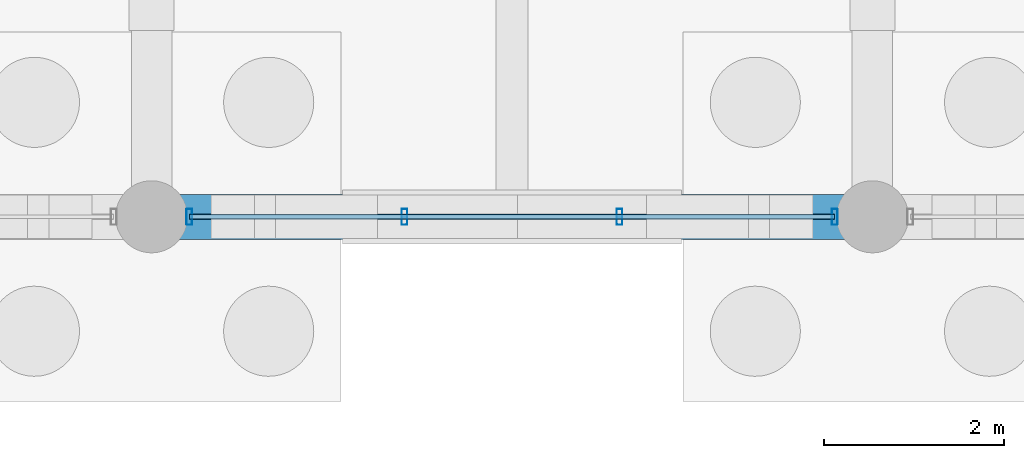
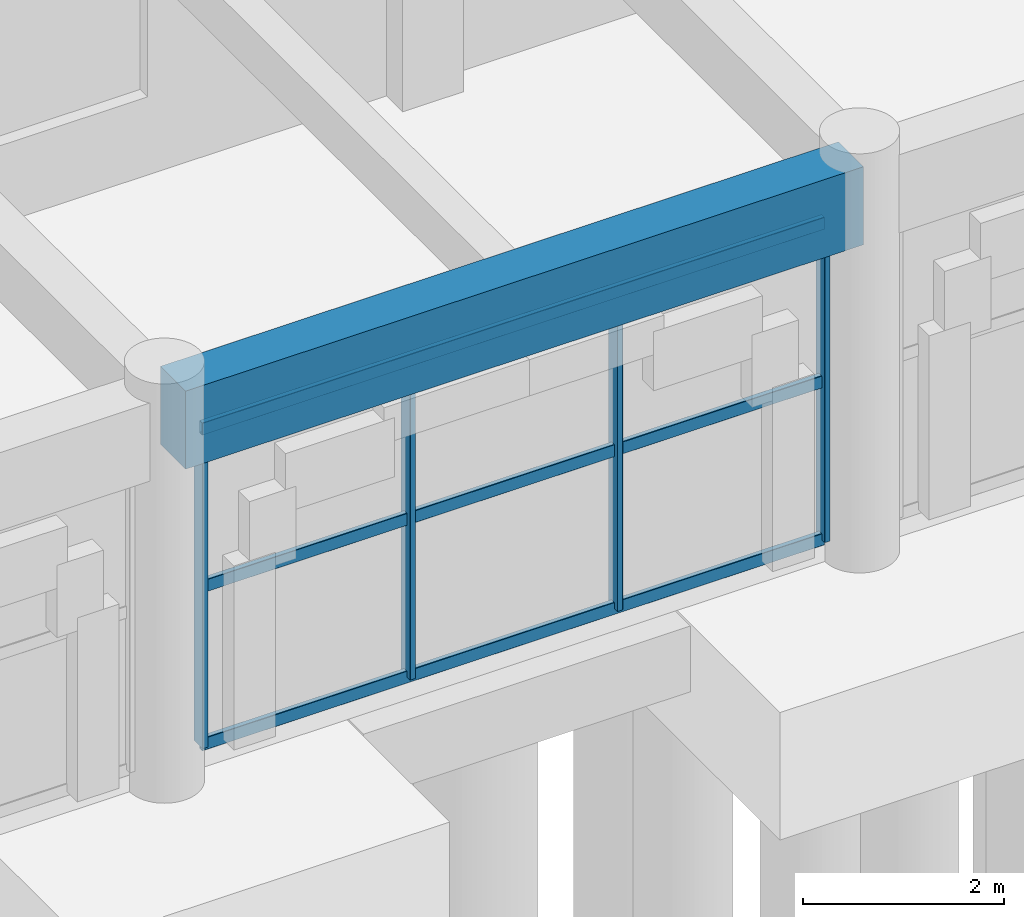
# One storey, part 76 of 147: 7 members, 1 beam, 1 element without a shape of its own.
"""IFC4 building model written with IfcOpenShell, lengths in metres."""

from ifc_helpers import new_model, si_unit, direction, frame, origin, origin_2d, place, context, subcontext, project, spatial, rectangle, hollow_rectangle, extrude, material, material_profile, profile_set, type_object, element, aggregate, save


model = new_model("IFC4")

# Units and contexts
model_context = context("Model", 3, precision=1e-05, world=origin(), true_north=direction((0.0, 1.0)))
body_context = subcontext(model_context, "Body", "Model", "MODEL_VIEW")
ifc_project = project(units=[si_unit("LENGTHUNIT", "METRE"), si_unit("AREAUNIT", "SQUARE_METRE"), si_unit("VOLUMEUNIT", "CUBIC_METRE"), si_unit("PLANEANGLEUNIT", "RADIAN"), si_unit("MASSUNIT", "GRAM", prefix="KILO")], contexts=[model_context])

# Site, building, storey
site_placement = place(None, origin())
site = spatial("IfcSite", under=ifc_project, at=site_placement, CompositionType="ELEMENT")
building_placement = place(site_placement, origin())
building = spatial("IfcBuilding", under=site, at=building_placement, Name="Varnabhumi Central Station", CompositionType="ELEMENT")
storey_placement = place(building_placement, origin())
storey = spatial("IfcBuildingStorey", under=building, at=storey_placement, Name="L00", CompositionType="ELEMENT", Elevation=0.0)

# Beam
ifc_material_1 = material(Name="Concrete M40", Category="concrete")
ifc_material_profile_1 = material_profile(ifc_material_1, rectangle(XDim=0.5, YDim=0.949951171875, at=origin_2d()), Name="Concrete M40", Category="concrete")
ifc_profile_set_1 = profile_set([ifc_material_profile_1], Name="Concrete M40")
beam_type = type_object("IfcBeamType", Name="BM-RC-500x950", PredefinedType="BEAM", material=ifc_profile_set_1)
beam_placement = place(storey_placement, frame((128.10009765625, 27.0, 4.074951171875), z_axis=(1.0, 0.0, 0.0), x_axis=(0.0, 1.0, 0.0)))
element("IfcBeam", 1, at=beam_placement, inside=storey, type_object=beam_type, Name="Beam L00-D:17-18", PredefinedType="BEAM", context=body_context, shape_type="SweptSolid", body=[
    extrude(rectangle(XDim=0.5, YDim=0.949951171875, at=origin_2d()), origin(), (0.0, 0.0, 1.0), 7.7998046875),
])

# Curtain wall, members
ifc_material_2 = material(Name="Anodised aluminium 6063-T6", Category="aluminium")
curtain_wall_type = type_object("IfcCurtainWallType", Name="CW-PATIO-LOGGIA-L0", PredefinedType="NOTDEFINED", material=ifc_material_2)
curtain_wall_placement = place(storey_placement, origin())
curtain_wall = element("IfcCurtainWall", 2, at=curtain_wall_placement, inside=storey, type_object=curtain_wall_type, Name="Curtain Wall CW-SP0N3", PredefinedType="NOTDEFINED")
ifc_material_profile_2 = material_profile(ifc_material_2, hollow_rectangle(XDim=0.06494140625, YDim=0.179931640625, WallThickness=0.00390625, InnerFilletRadius=0.001953125, OuterFilletRadius=0.006103515625, at=origin_2d()), Name="Anodised aluminium 6063-T6", Category="aluminium")
ifc_profile_set_2 = profile_set([ifc_material_profile_2], Name="Anodised aluminium 6063-T6")
member_type_1 = type_object("IfcMemberType", Name="CW-MUL-180", PredefinedType="MULLION", material=ifc_profile_set_2)
member_1_placement = place(storey_placement, frame((128.419921875, 27.0, 0.0), z_axis=(0.0, 0.0, 1.0), x_axis=(1.0, 0.0, 0.0)))
member_1 = element("IfcMember", 3, at=member_1_placement, type_object=member_type_1, Name="Curtain Wall Mullion CW-SP0N3-M1", PredefinedType="MULLION", context=body_context, shape_type="SweptSolid", body=[
    extrude(hollow_rectangle(XDim=0.06494140625, YDim=0.179931640625, WallThickness=0.00390625, InnerFilletRadius=0.001953125, OuterFilletRadius=0.006103515625, at=origin_2d()), origin(), (0.0, 0.0, 1.0), 3.840087890625),
])
member_2_placement = place(storey_placement, frame((130.806640625, 27.0, 0.0), z_axis=(0.0, 0.0, 1.0), x_axis=(1.0, 0.0, 0.0)))
member_2 = element("IfcMember", 4, at=member_2_placement, type_object=member_type_1, Name="Curtain Wall Mullion CW-SP0N3-M2", PredefinedType="MULLION", context=body_context, shape_type="SweptSolid", body=[
    extrude(hollow_rectangle(XDim=0.06494140625, YDim=0.179931640625, WallThickness=0.00390625, InnerFilletRadius=0.001953125, OuterFilletRadius=0.006103515625, at=origin_2d()), origin(), (0.0, 0.0, 1.0), 3.840087890625),
])
member_3_placement = place(storey_placement, frame((133.193359375, 27.0, 0.0), z_axis=(0.0, 0.0, 1.0), x_axis=(1.0, 0.0, 0.0)))
member_3 = element("IfcMember", 5, at=member_3_placement, type_object=member_type_1, Name="Curtain Wall Mullion CW-SP0N3-M3", PredefinedType="MULLION", context=body_context, shape_type="SweptSolid", body=[
    extrude(hollow_rectangle(XDim=0.06494140625, YDim=0.179931640625, WallThickness=0.00390625, InnerFilletRadius=0.001953125, OuterFilletRadius=0.006103515625, at=origin_2d()), origin(), (0.0, 0.0, 1.0), 3.840087890625),
])
member_4_placement = place(storey_placement, frame((135.580078125, 27.0, 0.0), z_axis=(0.0, 0.0, 1.0), x_axis=(1.0, 0.0, 0.0)))
member_4 = element("IfcMember", 6, at=member_4_placement, type_object=member_type_1, Name="Curtain Wall Mullion CW-SP0N3-M4", PredefinedType="MULLION", context=body_context, shape_type="SweptSolid", body=[
    extrude(hollow_rectangle(XDim=0.06494140625, YDim=0.179931640625, WallThickness=0.00390625, InnerFilletRadius=0.001953125, OuterFilletRadius=0.006103515625, at=origin_2d()), origin(), (0.0, 0.0, 1.0), 3.840087890625),
])
ifc_material_profile_3 = material_profile(ifc_material_2, hollow_rectangle(XDim=0.06005859375, YDim=0.14990234375, WallThickness=0.00390625, InnerFilletRadius=0.001953125, OuterFilletRadius=0.006103515625, at=origin_2d()), Name="Anodised aluminium 6063-T6", Category="aluminium")
ifc_profile_set_3 = profile_set([ifc_material_profile_3], Name="Anodised aluminium 6063-T6")
member_type_2 = type_object("IfcMemberType", Name="CW-TR-150", PredefinedType="USERDEFINED", material=ifc_profile_set_3)
member_5_placement = place(storey_placement, frame((128.419921875, 27.0, 0.0), z_axis=(1.0, 0.0, 0.0), x_axis=(0.0, 1.0, 0.0)))
member_5 = element("IfcMember", 7, at=member_5_placement, type_object=member_type_2, Name="Curtain Wall Transom CW-SP0N3-T1", ObjectType="TRANSOM", PredefinedType="USERDEFINED", context=body_context, shape_type="SweptSolid", body=[
    extrude(hollow_rectangle(XDim=0.06005859375, YDim=0.14990234375, WallThickness=0.00390625, InnerFilletRadius=0.001953125, OuterFilletRadius=0.006103515625, at=origin_2d()), origin(), (0.0, 0.0, 1.0), 7.16015625),
])
member_6_placement = place(storey_placement, frame((128.419921875, 27.0, 1.919921875), z_axis=(1.0, 0.0, 0.0), x_axis=(0.0, 1.0, 0.0)))
member_6 = element("IfcMember", 8, at=member_6_placement, type_object=member_type_2, Name="Curtain Wall Transom CW-SP0N3-T2", ObjectType="TRANSOM", PredefinedType="USERDEFINED", context=body_context, shape_type="SweptSolid", body=[
    extrude(hollow_rectangle(XDim=0.06005859375, YDim=0.14990234375, WallThickness=0.00390625, InnerFilletRadius=0.001953125, OuterFilletRadius=0.006103515625, at=origin_2d()), origin(), (0.0, 0.0, 1.0), 7.16015625),
])
member_7_placement = place(storey_placement, frame((128.419921875, 27.0, 3.840087890625), z_axis=(1.0, 0.0, 0.0), x_axis=(0.0, 1.0, 0.0)))
member_7 = element("IfcMember", 9, at=member_7_placement, type_object=member_type_2, Name="Curtain Wall Transom CW-SP0N3-T3", ObjectType="TRANSOM", PredefinedType="USERDEFINED", context=body_context, shape_type="SweptSolid", body=[
    extrude(hollow_rectangle(XDim=0.06005859375, YDim=0.14990234375, WallThickness=0.00390625, InnerFilletRadius=0.001953125, OuterFilletRadius=0.006103515625, at=origin_2d()), origin(), (0.0, 0.0, 1.0), 7.16015625),
])
aggregate(curtain_wall, [member_1, member_2, member_3, member_4, member_5, member_6, member_7])

save(model, "model.ifc")
